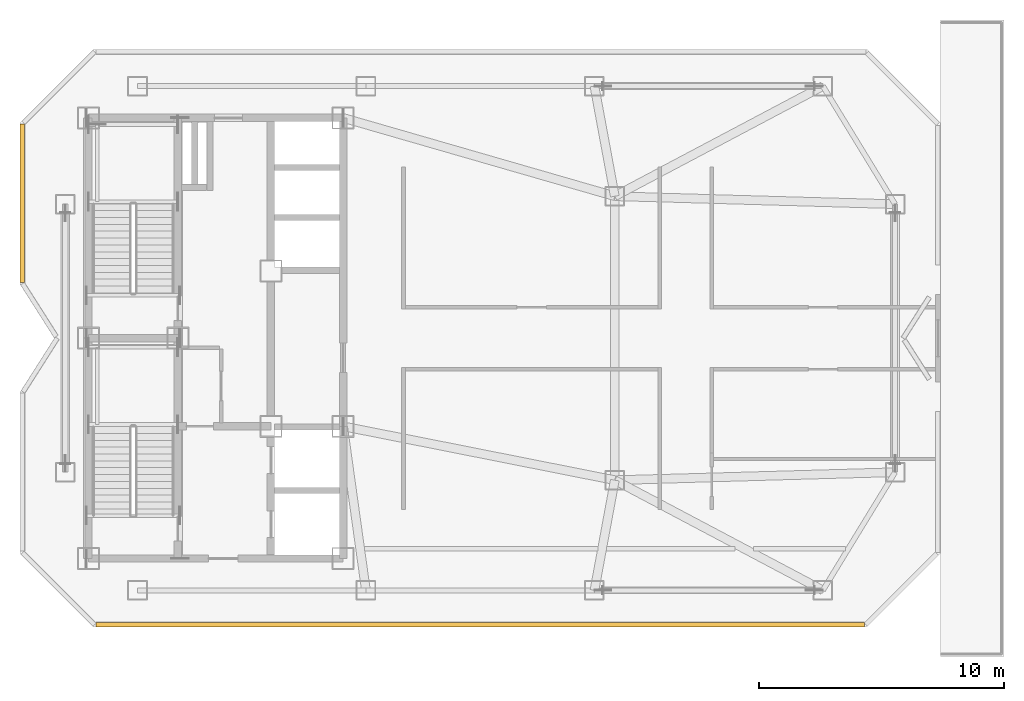
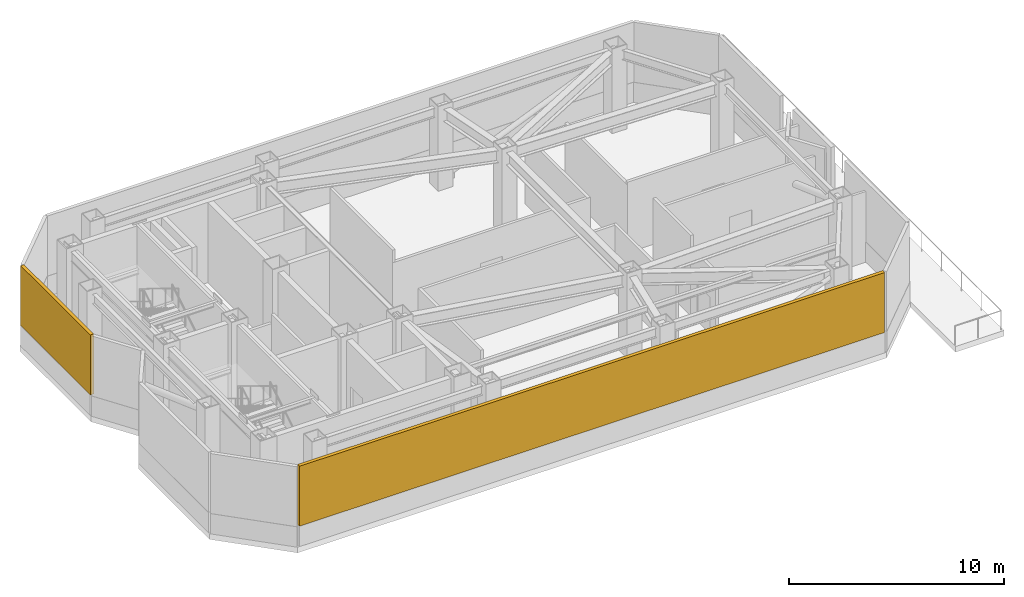
# One storey, part 8 of 10: 2 shading devices.
"""IFC4 building model written with IfcOpenShell, lengths in metres."""

from ifc_helpers import new_model, si_unit, direction, frame, origin, origin_2d, place, context, subcontext, project, spatial, rectangle, extrude, material, type_object, element, save


model = new_model("IFC4")

# Units and contexts
model_context = context("Model", 3, precision=1e-05, world=origin(), true_north=direction((0.0, 1.0)))
body_context = subcontext(model_context, "Body", "Model", "MODEL_VIEW")
ifc_project = project(units=[si_unit("LENGTHUNIT", "METRE"), si_unit("AREAUNIT", "SQUARE_METRE"), si_unit("VOLUMEUNIT", "CUBIC_METRE"), si_unit("PLANEANGLEUNIT", "RADIAN"), si_unit("MASSUNIT", "GRAM", prefix="KILO")], contexts=[model_context])

# Site, building, storey
site_placement = place(None, origin())
site = spatial("IfcSite", under=ifc_project, at=site_placement, CompositionType="ELEMENT")
building_placement = place(site_placement, origin())
building = spatial("IfcBuilding", under=site, at=building_placement, Name="Khamvora Tower", CompositionType="ELEMENT")
storey_placement = place(building_placement, frame((0.0, 0.0, 303.050048828125)))
storey = spatial("IfcBuildingStorey", under=building, at=storey_placement, Name="L77", CompositionType="ELEMENT", Elevation=303.050048828125)

# Shading devices
ifc_material = material(Name="Pale Anodised Aluminium 6063-T6", Category="aluminium")
shading_device_type = type_object("IfcShadingDeviceType", Name="SHD-LVR-150", PredefinedType="JALOUSIE", material=ifc_material)
shading_device_1_placement = place(storey_placement, frame((26.300048828125, 33.51708984375, 1.14990234375), z_axis=(0.0, 0.0, 1.0), x_axis=(0.0, 1.0, 0.0)))
element("IfcShadingDevice", 1, at=shading_device_1_placement, inside=storey, type_object=shading_device_type, Name="L77 mechanical weather louvre 05.1", PredefinedType="JALOUSIE", context=body_context, shape_type="SweptSolid", body=[
    extrude(rectangle(XDim=6.485107421875, YDim=0.179931640625, at=origin_2d()), origin(), (0.0, 0.0, 1.0), 3.39990234375),
])
shading_device_2_placement = place(storey_placement, frame((44.9990234375, 16.300048828125, 1.14990234375), z_axis=(0.0, 0.0, 1.0), x_axis=(-1.0, 0.0, 0.0)))
element("IfcShadingDevice", 2, at=shading_device_2_placement, inside=storey, type_object=shading_device_type, Name="L77 mechanical weather louvre 14.1", PredefinedType="JALOUSIE", context=body_context, shape_type="SweptSolid", body=[
    extrude(rectangle(XDim=31.39306640625, YDim=0.179931640625, at=origin_2d()), origin(), (0.0, 0.0, 1.0), 3.39990234375),
])

save(model, "model.ifc")
